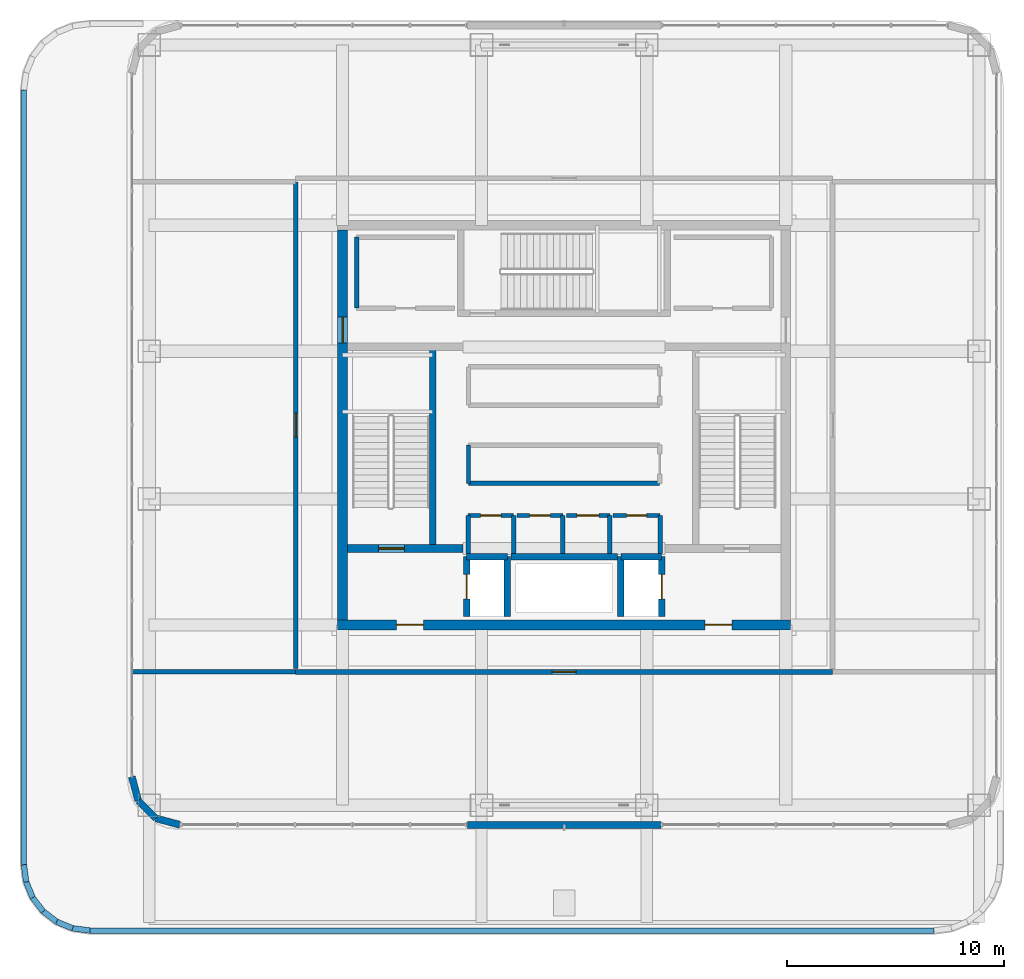
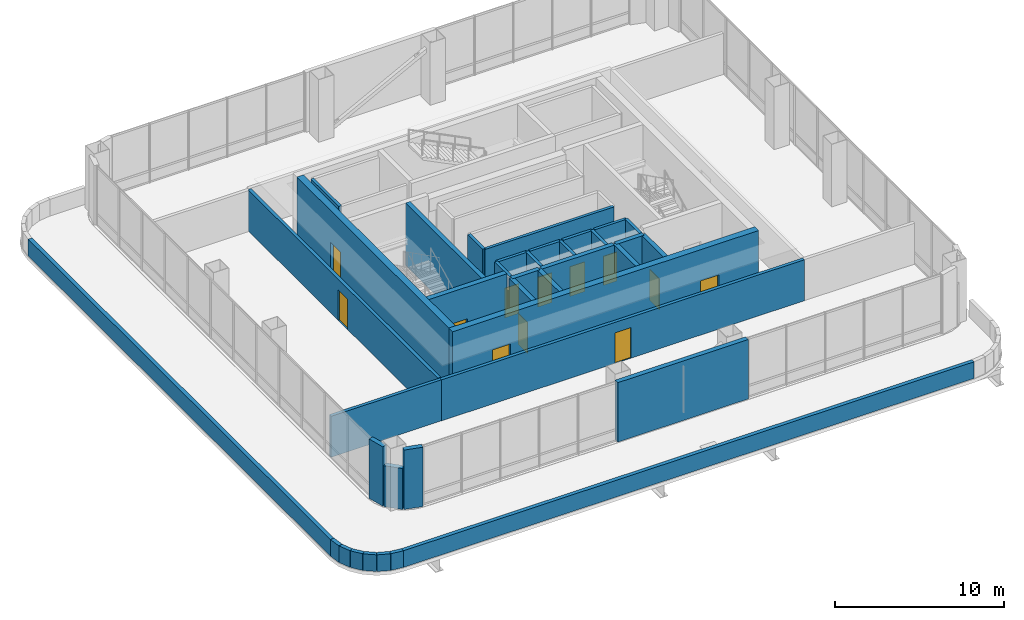
# One storey, part 28 of 33: 38 walls, 12 doors, 12 openings.
"""IFC4 building model written with IfcOpenShell, lengths in metres."""

from ifc_helpers import new_model, si_unit, direction, frame, frame_2d, origin, place, context, subcontext, project, spatial, rectangle, extrude, material, layer, layer_set, type_object, element, fill, save


model = new_model("IFC4")

# Units and contexts
model_context = context("Model", 3, precision=1e-05, world=origin(), true_north=direction((0.0, 1.0)))
body_context = subcontext(model_context, "Body", "Model", "MODEL_VIEW")
ifc_project = project(units=[si_unit("LENGTHUNIT", "METRE"), si_unit("AREAUNIT", "SQUARE_METRE"), si_unit("VOLUMEUNIT", "CUBIC_METRE"), si_unit("PLANEANGLEUNIT", "RADIAN"), si_unit("MASSUNIT", "GRAM", prefix="KILO")], contexts=[model_context])

# Site, building, storey
site_placement = place(None, origin())
site = spatial("IfcSite", under=ifc_project, at=site_placement, CompositionType="ELEMENT")
building_placement = place(site_placement, origin())
building = spatial("IfcBuilding", under=site, at=building_placement, Name="Punatoya Terracotta Tower", CompositionType="ELEMENT")
storey_placement = place(building_placement, frame((0.0, 0.0, 343.800048828125)))
storey = spatial("IfcBuildingStorey", under=building, at=storey_placement, Name="L81", CompositionType="ELEMENT", Elevation=343.800048828125)

# Wall, openings, doors
ifc_material_1 = material(Name="Concrete C50/60", Category="concrete")
ifc_layer_1 = layer(ifc_material_1, 0.449951171875)
ifc_layer_set_1 = layer_set([ifc_layer_1], Name="Concrete C50/60")
wall_type_1 = type_object("IfcWallType", Name="WL-COR-450", PredefinedType="SHEAR", material=ifc_layer_set_1)
wall_1_placement = place(storey_placement, frame((10.425048828125, -9.199951171875, 0.0), z_axis=(0.0, 0.0, 1.0), x_axis=(-1.0, 0.0, 0.0)))
wall_1 = element("IfcWall", 1, at=wall_1_placement, inside=storey, type_object=wall_type_1, Name="L81 Core Shear Wall S", PredefinedType="SHEAR", context=body_context, shape_type="SweptSolid", body=[
    extrude(rectangle(XDim=20.85009765625, YDim=0.449951171875, at=frame_2d((10.425048828125, 0.0))), origin(), (0.0, 0.0, 1.0), 4.5),
])
opening_1_placement = place(wall_1_placement, frame((2.699951171875, 0.0, 0.0)))
opening_1 = element("IfcOpeningElement", 2, at=opening_1_placement, cuts=wall_1, Name="Opening FD-L1", PredefinedType="OPENING", context=body_context, shape_type="SweptSolid", body=[
    extrude(rectangle(XDim=1.25, YDim=2.25, at=frame_2d((0.625, 1.125))), frame((0.0, 0.23486328125, 0.0), z_axis=(0.0, -1.0, 0.0), x_axis=(1.0, 0.0, 0.0)), (0.0, 0.0, 1.0), 0.469970703125),
])
opening_2_placement = place(wall_1_placement, frame((16.89990234375, 0.0, 0.0)))
opening_2 = element("IfcOpeningElement", 3, at=opening_2_placement, cuts=wall_1, Name="Opening FD-L1", PredefinedType="OPENING", context=body_context, shape_type="SweptSolid", body=[
    extrude(rectangle(XDim=1.25, YDim=2.25, at=frame_2d((0.625, 1.125))), frame((0.0, 0.23486328125, 0.0), z_axis=(0.0, -1.0, 0.0), x_axis=(1.0, 0.0, 0.0)), (0.0, 0.0, 1.0), 0.469970703125),
])
ifc_material_2 = material(Name="Galvanised Steel Smokeproof Fire Door", Category="steel")
door_type_1 = type_object("IfcDoorType", Name="DR-FFL-1250", OperationType="NOTDEFINED", PredefinedType="DOOR", material=ifc_material_2)
door_1_placement = place(opening_1_placement, origin())
door_1 = element("IfcDoor", 4, at=door_1_placement, inside=storey, type_object=door_type_1, Name="L81 East Firefighting Lobby Corridor Fire Door", OperationType="SINGLE_SWING_LEFT", OverallHeight=2.25, OverallWidth=1.25, PredefinedType="DOOR", context=body_context, shape_type="SweptSolid", body=[
    extrude(rectangle(XDim=1.25, YDim=2.25, at=frame_2d((0.625, 1.125))), frame((0.0, 0.02490234375, 0.0), z_axis=(0.0, -1.0, 0.0), x_axis=(1.0, 0.0, 0.0)), (0.0, 0.0, 1.0), 0.050048828125),
])
fill(opening_1, door_1)
door_2_placement = place(opening_2_placement, origin())
door_2 = element("IfcDoor", 5, at=door_2_placement, inside=storey, type_object=door_type_1, Name="L81 West Firefighting Lobby Corridor Fire Door", OperationType="SINGLE_SWING_RIGHT", OverallHeight=2.25, OverallWidth=1.25, PredefinedType="DOOR", context=body_context, shape_type="SweptSolid", body=[
    extrude(rectangle(XDim=1.25, YDim=2.25, at=frame_2d((0.625, 1.125))), frame((0.0, 0.02490234375, 0.0), z_axis=(0.0, -1.0, 0.0), x_axis=(1.0, 0.0, 0.0)), (0.0, 0.0, 1.0), 0.050048828125),
])
fill(opening_2, door_2)

# Wall, opening, door
wall_2_placement = place(storey_placement, frame((-10.199951171875, -8.97509765625, 0.0), z_axis=(0.0, 0.0, 1.0), x_axis=(0.0, 1.0, 0.0)))
wall_2 = element("IfcWall", 6, at=wall_2_placement, inside=storey, type_object=wall_type_1, Name="L81 Core Shear Wall W", PredefinedType="SHEAR", context=body_context, shape_type="SweptSolid", body=[
    extrude(rectangle(XDim=17.9501953125, YDim=0.449951171875, at=frame_2d((8.97509765625, 0.0))), origin(), (0.0, 0.0, 1.0), 4.5),
])
opening_3_placement = place(wall_2_placement, frame((12.764892578125, 0.0, 0.0)))
opening_3 = element("IfcOpeningElement", 7, at=opening_3_placement, cuts=wall_2, Name="Opening SD-01", PredefinedType="OPENING", context=body_context, shape_type="SweptSolid", body=[
    extrude(rectangle(XDim=1.179931640625, YDim=2.199951171875, at=frame_2d((0.58984375, 1.10009765625))), frame((0.0, 0.23486328125, 0.0), z_axis=(0.0, -1.0, 0.0), x_axis=(1.0, 0.0, 0.0)), (0.0, 0.0, 1.0), 0.469970703125),
])
ifc_material_3 = material(Name="Galvanised Steel Pressurized Stair Fire Door", Category="steel")
door_type_2 = type_object("IfcDoorType", Name="DR-STR-1180", OperationType="NOTDEFINED", PredefinedType="DOOR", material=ifc_material_3)
door_3_placement = place(opening_3_placement, origin())
door_3 = element("IfcDoor", 8, at=door_3_placement, inside=storey, type_object=door_type_2, Name="L81 Central Lift Lobby West Fire Door", OperationType="SINGLE_SWING_LEFT", OverallHeight=2.199951171875, OverallWidth=1.179931640625, PredefinedType="DOOR", context=body_context, shape_type="SweptSolid", body=[
    extrude(rectangle(XDim=1.179931640625, YDim=2.199951171875, at=frame_2d((0.58984375, 1.10009765625))), frame((0.0, 0.02490234375, 0.0), z_axis=(0.0, -1.0, 0.0), x_axis=(1.0, 0.0, 0.0)), (0.0, 0.0, 1.0), 0.050048828125),
])
fill(opening_3, door_3)

# Walls
ifc_material_4 = material(Name="Precast concrete C40/50", Category="concrete")
ifc_layer_2 = layer(ifc_material_4, 0.320068359375)
ifc_layer_set_2 = layer_set([ifc_layer_2], Name="Precast concrete C40/50")
wall_type_2 = type_object("IfcWallType", Name="WL-EXT-320", PredefinedType="SOLIDWALL", material=ifc_layer_set_2)
wall_3_placement = place(storey_placement, frame((-4.449951171875, -18.39990234375, 0.0), z_axis=(0.0, 0.0, 1.0), x_axis=(1.0, 0.0, 0.0)))
element("IfcWall", 9, at=wall_3_placement, inside=storey, type_object=wall_type_2, Name="L81 Terracotta Braced Facade Wall S1", PredefinedType="SOLIDWALL", context=body_context, shape_type="SweptSolid", body=[
    extrude(rectangle(XDim=8.89990234375, YDim=0.320068359375, at=frame_2d((4.449951171875, 0.0))), origin(), (0.0, 0.0, 1.0), 4.280029296875),
])
wall_4_placement = place(storey_placement, frame((-19.89990234375, -16.18701171875, 0.0), z_axis=(0.0, 0.0, 1.0), x_axis=(0.257332533551, -0.966322910406, 0.0)))
element("IfcWall", 10, at=wall_4_placement, inside=storey, type_object=wall_type_2, Name="L81 Rounded Terracotta Corner Pier 14", PredefinedType="SOLIDWALL", context=body_context, shape_type="SweptSolid", body=[
    extrude(rectangle(XDim=1.15087890625, YDim=0.320068359375, at=frame_2d((0.575439453125, 0.0))), origin(), (0.0, 0.0, 1.0), 4.280029296875),
])
wall_5_placement = place(storey_placement, frame((-19.603759765625, -17.299072265625, 0.0), z_axis=(0.0, 0.0, 1.0), x_axis=(0.707106781187, -0.707106781187, 0.0)))
element("IfcWall", 11, at=wall_5_placement, inside=storey, type_object=wall_type_2, Name="L81 Rounded Terracotta Corner Pier 15", PredefinedType="SOLIDWALL", context=body_context, shape_type="SweptSolid", body=[
    extrude(rectangle(XDim=1.137939453125, YDim=0.320068359375, at=frame_2d((0.56884765625, 0.0))), origin(), (0.0, 0.0, 1.0), 2.953857421875),
])
wall_6_placement = place(storey_placement, frame((-18.799072265625, -18.103759765625, 0.0), z_axis=(0.0, 0.0, 1.0), x_axis=(0.966322910406, -0.257332533551, 0.0)))
element("IfcWall", 12, at=wall_6_placement, inside=storey, type_object=wall_type_2, Name="L81 Rounded Terracotta Corner Pier 16", PredefinedType="SOLIDWALL", context=body_context, shape_type="SweptSolid", body=[
    extrude(rectangle(XDim=1.15087890625, YDim=0.320068359375, at=frame_2d((0.575439453125, 0.0))), origin(), (0.0, 0.0, 1.0), 4.280029296875),
])
ifc_material_5 = material(Name="Concrete C40/50", Category="concrete")
ifc_layer_3 = layer(ifc_material_5, 0.219970703125)
ifc_layer_set_3 = layer_set([ifc_layer_3], Name="Concrete C40/50")
wall_type_3 = type_object("IfcWallType", Name="WL-FIR-220", PredefinedType="SOLIDWALL", material=ifc_layer_set_3)
wall_7_placement = place(storey_placement, frame((-19.8798828125, -11.35009765625, 0.0), z_axis=(0.0, 0.0, 1.0), x_axis=(1.0, 0.0, 0.0)))
element("IfcWall", 13, at=wall_7_placement, inside=storey, type_object=wall_type_3, Name="L81 Crown South Heat-Rejection and Cooling-Tower Plant Partition 24", PredefinedType="SOLIDWALL", context=body_context, shape_type="SweptSolid", body=[
    extrude(rectangle(XDim=7.519775390625, YDim=0.219970703125, at=frame_2d((3.759765625, 0.0))), origin(), (0.0, 0.0, 1.0), 2.953857421875),
])

# Wall, opening, door
wall_8_placement = place(storey_placement, frame((-12.360107421875, -11.360107421875, 0.0), z_axis=(0.0, 0.0, 1.0), x_axis=(1.0, 0.0, 0.0)))
wall_8 = element("IfcWall", 14, at=wall_8_placement, inside=storey, type_object=wall_type_3, Name="L81 Crown South Heat-Rejection and Cooling-Tower Plant Partition 25", PredefinedType="SOLIDWALL", context=body_context, shape_type="SweptSolid", body=[
    extrude(rectangle(XDim=24.72021484375, YDim=0.219970703125, at=frame_2d((12.360107421875, 0.0))), origin(), (0.0, 0.0, 1.0), 2.953857421875),
])
opening_4_placement = place(wall_8_placement, frame((11.81005859375, 0.0, 0.0)))
opening_4 = element("IfcOpeningElement", 15, at=opening_4_placement, cuts=wall_8, Name="Opening FD-P1", PredefinedType="OPENING", context=body_context, shape_type="SweptSolid", body=[
    extrude(rectangle(XDim=1.10009765625, YDim=2.199951171875, at=frame_2d((0.550048828125, 1.10009765625))), frame((0.0, 0.119873046875, 0.0), z_axis=(0.0, -1.0, 0.0), x_axis=(1.0, 0.0, 0.0)), (0.0, 0.0, 1.0), 0.239990234375),
])
ifc_material_6 = material(Name="Galvanised Steel Plant Fire Door", Category="steel")
door_type_3 = type_object("IfcDoorType", Name="DR-PLT-1100", OperationType="NOTDEFINED", PredefinedType="DOOR", material=ifc_material_6)
door_4_placement = place(opening_4_placement, origin())
door_4 = element("IfcDoor", 16, at=door_4_placement, inside=storey, type_object=door_type_3, Name="L81 Crown South Heat-Rejection and Cooling-Tower Plant Fire Door", OperationType="SINGLE_SWING_LEFT", OverallHeight=2.199951171875, OverallWidth=1.10009765625, PredefinedType="DOOR", context=body_context, shape_type="SweptSolid", body=[
    extrude(rectangle(XDim=1.10009765625, YDim=2.199951171875, at=frame_2d((0.550048828125, 1.10009765625))), frame((0.0, 0.02490234375, 0.0), z_axis=(0.0, -1.0, 0.0), x_axis=(1.0, 0.0, 0.0)), (0.0, 0.0, 1.0), 0.050048828125),
])
fill(opening_4, door_4)

wall_9_placement = place(storey_placement, frame((-12.360107421875, 11.199951171875, 0.0), z_axis=(0.0, 0.0, 1.0), x_axis=(0.0, -1.0, 0.0)))
wall_9 = element("IfcWall", 17, at=wall_9_placement, inside=storey, type_object=wall_type_3, Name="L81 Crown West Smoke-Extract and Fan Plant Room Partition 28", PredefinedType="SOLIDWALL", context=body_context, shape_type="SweptSolid", body=[
    extrude(rectangle(XDim=22.39990234375, YDim=0.219970703125, at=frame_2d((11.199951171875, 0.0))), origin(), (0.0, 0.0, 1.0), 2.953857421875),
])
opening_5_placement = place(wall_9_placement, frame((10.64990234375, 0.0, 0.0)))
opening_5 = element("IfcOpeningElement", 18, at=opening_5_placement, cuts=wall_9, Name="Opening FD-P1", PredefinedType="OPENING", context=body_context, shape_type="SweptSolid", body=[
    extrude(rectangle(XDim=1.10009765625, YDim=2.199951171875, at=frame_2d((0.550048828125, 1.10009765625))), frame((0.0, 0.119873046875, 0.0), z_axis=(0.0, -1.0, 0.0), x_axis=(1.0, 0.0, 0.0)), (0.0, 0.0, 1.0), 0.239990234375),
])
door_5_placement = place(opening_5_placement, origin())
door_5 = element("IfcDoor", 19, at=door_5_placement, inside=storey, type_object=door_type_3, Name="L81 Crown West Smoke-Extract and Fan Plant Room Fire Door", OperationType="SINGLE_SWING_RIGHT", OverallHeight=2.199951171875, OverallWidth=1.10009765625, PredefinedType="DOOR", context=body_context, shape_type="SweptSolid", body=[
    extrude(rectangle(XDim=1.10009765625, YDim=2.199951171875, at=frame_2d((0.550048828125, 1.10009765625))), frame((0.0, 0.02490234375, 0.0), z_axis=(0.0, -1.0, 0.0), x_axis=(1.0, 0.0, 0.0)), (0.0, 0.0, 1.0), 0.050048828125),
])
fill(opening_5, door_5)

# Wall
ifc_layer_4 = layer(ifc_material_5, 0.199951171875)
ifc_layer_set_4 = layer_set([ifc_layer_4], Name="Concrete C40/50")
wall_type_4 = type_object("IfcWallType", Name="WL-INT-200", PredefinedType="SOLIDWALL", material=ifc_layer_set_4)
wall_10_placement = place(storey_placement, frame((-2.320068359375, -5.89990234375, 0.0), z_axis=(0.0, 0.0, 1.0), x_axis=(0.0, 1.0, 0.0)))
element("IfcWall", 20, at=wall_10_placement, inside=storey, type_object=wall_type_4, Name="L81 Staff Male Washroom Partition 01", PredefinedType="SOLIDWALL", context=body_context, shape_type="SweptSolid", body=[
    extrude(rectangle(XDim=1.739990234375, YDim=0.199951171875, at=frame_2d((0.8701171875, 0.0))), origin(), (0.0, 0.0, 1.0), 4.280029296875),
])

# Wall, opening, door
wall_11_placement = place(storey_placement, frame((-2.320068359375, -4.159912109375, 0.0), z_axis=(0.0, 0.0, 1.0), x_axis=(-1.0, 0.0, 0.0)))
wall_11 = element("IfcWall", 21, at=wall_11_placement, inside=storey, type_object=wall_type_4, Name="L81 Staff Male Washroom Partition 02", PredefinedType="SOLIDWALL", context=body_context, shape_type="SweptSolid", body=[
    extrude(rectangle(XDim=2.099853515625, YDim=0.199951171875, at=frame_2d((1.0498046875, 0.0))), origin(), (0.0, 0.0, 1.0), 4.280029296875),
])
opening_6_placement = place(wall_11_placement, frame((0.574951171875, 0.0, 0.0)))
opening_6 = element("IfcOpeningElement", 22, at=opening_6_placement, cuts=wall_11, Name="Opening WD-01", PredefinedType="OPENING", context=body_context, shape_type="SweptSolid", body=[
    extrude(rectangle(XDim=0.949951171875, YDim=2.14990234375, at=frame_2d((0.47509765625, 1.074951171875))), frame((0.0, 0.10986328125, 0.0), z_axis=(0.0, -1.0, 0.0), x_axis=(1.0, 0.0, 0.0)), (0.0, 0.0, 1.0), 0.219970703125),
])
ifc_material_7 = material(Name="Moisture-Resistant Laminate Timber Leaf", Category="wood")
door_type_4 = type_object("IfcDoorType", Name="DR-WC-950", OperationType="NOTDEFINED", PredefinedType="DOOR", material=ifc_material_7)
door_6_placement = place(opening_6_placement, origin())
door_6 = element("IfcDoor", 23, at=door_6_placement, inside=storey, type_object=door_type_4, Name="L81 Staff Male Washroom Door", OperationType="SINGLE_SWING_LEFT", OverallHeight=2.14990234375, OverallWidth=0.949951171875, PredefinedType="DOOR", context=body_context, shape_type="SweptSolid", body=[
    extrude(rectangle(XDim=0.949951171875, YDim=2.14990234375, at=frame_2d((0.47509765625, 1.074951171875))), frame((0.0, 0.02490234375, 0.0), z_axis=(0.0, -1.0, 0.0), x_axis=(1.0, 0.0, 0.0)), (0.0, 0.0, 1.0), 0.050048828125),
])
fill(opening_6, door_6)

# Walls
for number, where, z_axis, x_axis, name in (
    (24, (-4.419921875, -4.159912109375, 0.0), (0.0, 0.0, 1.0), (0.0, -1.0, 0.0), "L81 Staff Male Washroom Partition 03"),
    (25, (-0.06005859375, -5.89990234375, 0.0), (0.0, 0.0, 1.0), (0.0, 1.0, 0.0), "L81 Staff Female Washroom Partition 04"),
):
    element("IfcWall", number, at=place(storey_placement, frame(where, z_axis=z_axis, x_axis=x_axis)), inside=storey, type_object=wall_type_4, Name=name, PredefinedType="SOLIDWALL", context=body_context, shape_type="SweptSolid", body=[
        extrude(rectangle(XDim=1.739990234375, YDim=0.199951171875, at=frame_2d((0.8701171875, 0.0))), origin(), (0.0, 0.0, 1.0), 4.280029296875),
    ])

# Wall, opening, door
wall_12_placement = place(storey_placement, frame((-0.06005859375, -4.159912109375, 0.0), z_axis=(0.0, 0.0, 1.0), x_axis=(-1.0, 0.0, 0.0)))
wall_12 = element("IfcWall", 26, at=wall_12_placement, inside=storey, type_object=wall_type_4, Name="L81 Staff Female Washroom Partition 05", PredefinedType="SOLIDWALL", context=body_context, shape_type="SweptSolid", body=[
    extrude(rectangle(XDim=2.099853515625, YDim=0.199951171875, at=frame_2d((1.0498046875, 0.0))), origin(), (0.0, 0.0, 1.0), 4.280029296875),
])
opening_7_placement = place(wall_12_placement, frame((0.574951171875, 0.0, 0.0)))
opening_7 = element("IfcOpeningElement", 27, at=opening_7_placement, cuts=wall_12, Name="Opening WD-01", PredefinedType="OPENING", context=body_context, shape_type="SweptSolid", body=[
    extrude(rectangle(XDim=0.949951171875, YDim=2.14990234375, at=frame_2d((0.47509765625, 1.074951171875))), frame((0.0, 0.10986328125, 0.0), z_axis=(0.0, -1.0, 0.0), x_axis=(1.0, 0.0, 0.0)), (0.0, 0.0, 1.0), 0.219970703125),
])
door_7_placement = place(opening_7_placement, origin())
door_7 = element("IfcDoor", 28, at=door_7_placement, inside=storey, type_object=door_type_4, Name="L81 Staff Female Washroom Door", OperationType="SINGLE_SWING_RIGHT", OverallHeight=2.14990234375, OverallWidth=0.949951171875, PredefinedType="DOOR", context=body_context, shape_type="SweptSolid", body=[
    extrude(rectangle(XDim=0.949951171875, YDim=2.14990234375, at=frame_2d((0.47509765625, 1.074951171875))), frame((0.0, 0.02490234375, 0.0), z_axis=(0.0, -1.0, 0.0), x_axis=(1.0, 0.0, 0.0)), (0.0, 0.0, 1.0), 0.050048828125),
])
fill(opening_7, door_7)

# Wall
wall_13_placement = place(storey_placement, frame((2.10009765625, -5.89990234375, 0.0), z_axis=(0.0, 0.0, 1.0), x_axis=(0.0, 1.0, 0.0)))
element("IfcWall", 29, at=wall_13_placement, inside=storey, type_object=wall_type_4, Name="L81 Accessible Universal Washroom Partition 06", PredefinedType="SOLIDWALL", context=body_context, shape_type="SweptSolid", body=[
    extrude(rectangle(XDim=1.739990234375, YDim=0.199951171875, at=frame_2d((0.8701171875, 0.0))), origin(), (0.0, 0.0, 1.0), 4.280029296875),
])

# Wall, opening, door
wall_14_placement = place(storey_placement, frame((2.10009765625, -4.159912109375, 0.0), z_axis=(0.0, 0.0, 1.0), x_axis=(-1.0, 0.0, 0.0)))
wall_14 = element("IfcWall", 30, at=wall_14_placement, inside=storey, type_object=wall_type_4, Name="L81 Accessible Universal Washroom Partition 07", PredefinedType="SOLIDWALL", context=body_context, shape_type="SweptSolid", body=[
    extrude(rectangle(XDim=2.0, YDim=0.199951171875, at=frame_2d((1.0, 0.0))), origin(), (0.0, 0.0, 1.0), 4.280029296875),
])
opening_8_placement = place(wall_14_placement, frame((0.5, 0.0, 0.0)))
opening_8 = element("IfcOpeningElement", 31, at=opening_8_placement, cuts=wall_14, Name="Opening AWD-1", PredefinedType="OPENING", context=body_context, shape_type="SweptSolid", body=[
    extrude(rectangle(XDim=1.0, YDim=2.14990234375, at=frame_2d((0.5, 1.074951171875))), frame((0.0, 0.10986328125, 0.0), z_axis=(0.0, -1.0, 0.0), x_axis=(1.0, 0.0, 0.0)), (0.0, 0.0, 1.0), 0.219970703125),
])
ifc_material_8 = material(Name="Bengal Teak Accessible WC Leaf")
door_type_5 = type_object("IfcDoorType", Name="DR-ACC-1000", OperationType="NOTDEFINED", PredefinedType="DOOR", material=ifc_material_8)
door_8_placement = place(opening_8_placement, origin())
door_8 = element("IfcDoor", 32, at=door_8_placement, inside=storey, type_object=door_type_5, Name="L81 Accessible Universal Washroom Door", OperationType="SINGLE_SWING_LEFT", OverallHeight=2.14990234375, OverallWidth=1.0, PredefinedType="DOOR", context=body_context, shape_type="SweptSolid", body=[
    extrude(rectangle(XDim=1.0, YDim=2.14990234375, at=frame_2d((0.5, 1.074951171875))), frame((0.0, 0.02490234375, 0.0), z_axis=(0.0, -1.0, 0.0), x_axis=(1.0, 0.0, 0.0)), (0.0, 0.0, 1.0), 0.050048828125),
])
fill(opening_8, door_8)

# Wall
wall_15_placement = place(storey_placement, frame((4.419921875, -5.89990234375, 0.0), z_axis=(0.0, 0.0, 1.0), x_axis=(0.0, 1.0, 0.0)))
element("IfcWall", 33, at=wall_15_placement, inside=storey, type_object=wall_type_4, Name="L81 Core Electrical Switchgear Room Partition 08", PredefinedType="SOLIDWALL", context=body_context, shape_type="SweptSolid", body=[
    extrude(rectangle(XDim=1.739990234375, YDim=0.199951171875, at=frame_2d((0.8701171875, 0.0))), origin(), (0.0, 0.0, 1.0), 4.280029296875),
])

# Wall, opening, door
wall_16_placement = place(storey_placement, frame((4.419921875, -4.159912109375, 0.0), z_axis=(0.0, 0.0, 1.0), x_axis=(-1.0, 0.0, 0.0)))
wall_16 = element("IfcWall", 34, at=wall_16_placement, inside=storey, type_object=wall_type_4, Name="L81 Core Electrical Switchgear Room Partition 09", PredefinedType="SOLIDWALL", context=body_context, shape_type="SweptSolid", body=[
    extrude(rectangle(XDim=2.159912109375, YDim=0.199951171875, at=frame_2d((1.080078125, 0.0))), origin(), (0.0, 0.0, 1.0), 4.280029296875),
])
opening_9_placement = place(wall_16_placement, frame((0.6201171875, 0.0, 0.0)))
opening_9 = element("IfcOpeningElement", 35, at=opening_9_placement, cuts=wall_16, Name="Opening FD-R1", PredefinedType="OPENING", context=body_context, shape_type="SweptSolid", body=[
    extrude(rectangle(XDim=0.919921875, YDim=2.10009765625, at=frame_2d((0.4599609375, 1.050048828125))), frame((0.0, 0.10986328125, 0.0), z_axis=(0.0, -1.0, 0.0), x_axis=(1.0, 0.0, 0.0)), (0.0, 0.0, 1.0), 0.219970703125),
])
ifc_material_9 = material(Name="Galvanised Steel Riser Fire Access Door", Category="steel")
door_type_6 = type_object("IfcDoorType", Name="DR-RSR-920", OperationType="NOTDEFINED", PredefinedType="DOOR", material=ifc_material_9)
door_9_placement = place(opening_9_placement, origin())
door_9 = element("IfcDoor", 36, at=door_9_placement, inside=storey, type_object=door_type_6, Name="L81 Core Electrical Switchgear Room Fire Door", OperationType="SINGLE_SWING_RIGHT", OverallHeight=2.10009765625, OverallWidth=0.919921875, PredefinedType="DOOR", context=body_context, shape_type="SweptSolid", body=[
    extrude(rectangle(XDim=0.919921875, YDim=2.10009765625, at=frame_2d((0.4599609375, 1.050048828125))), frame((0.0, 0.02490234375, 0.0), z_axis=(0.0, -1.0, 0.0), x_axis=(1.0, 0.0, 0.0)), (0.0, 0.0, 1.0), 0.050048828125),
])
fill(opening_9, door_9)

# Walls
wall_17_placement = place(storey_placement, frame((-4.39990234375, -0.919921875, 0.0), z_axis=(0.0, 0.0, 1.0), x_axis=(0.0, -1.0, 0.0)))
element("IfcWall", 37, at=wall_17_placement, inside=storey, type_object=wall_type_4, Name="L81 Crown Emergency Power Switchroom Partition 12", PredefinedType="SOLIDWALL", context=body_context, shape_type="SweptSolid", body=[
    extrude(rectangle(XDim=1.760009765625, YDim=0.199951171875, at=frame_2d((0.8798828125, 0.0))), origin(), (0.0, 0.0, 1.0), 4.280029296875),
])
wall_18_placement = place(storey_placement, frame((-4.39990234375, -2.679931640625, 0.0), z_axis=(0.0, 0.0, 1.0), x_axis=(1.0, 0.0, 0.0)))
element("IfcWall", 38, at=wall_18_placement, inside=storey, type_object=wall_type_4, Name="L81 Crown Emergency Power Switchroom Partition 13", PredefinedType="SOLIDWALL", context=body_context, shape_type="SweptSolid", body=[
    extrude(rectangle(XDim=8.7998046875, YDim=0.199951171875, at=frame_2d((4.39990234375, 0.0))), origin(), (0.0, 0.0, 1.0), 4.280029296875),
])
wall_19_placement = place(storey_placement, frame((-9.550048828125, 8.64990234375, 0.0), z_axis=(0.0, 0.0, 1.0), x_axis=(0.0, -1.0, 0.0)))
element("IfcWall", 39, at=wall_19_placement, inside=storey, type_object=wall_type_4, Name="L81 West Duct Riser Partition 19", PredefinedType="SOLIDWALL", context=body_context, shape_type="SweptSolid", body=[
    extrude(rectangle(XDim=3.27001953125, YDim=0.199951171875, at=frame_2d((1.635009765625, 0.0))), origin(), (0.0, 0.0, 1.0), 4.280029296875),
])
ifc_layer_5 = layer(ifc_material_4, 0.260009765625)
ifc_layer_set_5 = layer_set([ifc_layer_5], Name="Precast concrete C40/50")
wall_type_5 = type_object("IfcWallType", Name="WL-PAR-260", PredefinedType="PARAPET", material=ifc_layer_set_5)
wall_20_placement = place(storey_placement, frame((-24.8701171875, 15.438232421875, 0.0), z_axis=(0.0, 0.0, 1.0), x_axis=(0.0, -1.0, 0.0)))
element("IfcWall", 40, at=wall_20_placement, inside=storey, type_object=wall_type_5, Name="L81 Roof Parapet Wall PAR-L81-STEP-15", PredefinedType="PARAPET", context=body_context, shape_type="SweptSolid", body=[
    extrude(rectangle(XDim=35.676513671875, YDim=0.260009765625, at=frame_2d((17.83837890625, 0.0))), origin(), (0.0, 0.0, 1.0), 1.199951171875),
])
wall_21_placement = place(storey_placement, frame((-24.8701171875, -20.23828125, 0.0), z_axis=(0.0, 0.0, 1.0), x_axis=(0.130644014367, -0.991429342672, 0.0)))
element("IfcWall", 41, at=wall_21_placement, inside=storey, type_object=wall_type_5, Name="L81 Roof Parapet Wall PAR-L81-STEP-16", PredefinedType="PARAPET", context=body_context, shape_type="SweptSolid", body=[
    extrude(rectangle(XDim=0.7998046875, YDim=0.260009765625, at=frame_2d((0.39990234375, 0.0))), origin(), (0.0, 0.0, 1.0), 1.199951171875),
])
wall_22_placement = place(storey_placement, frame((-24.765625, -21.03125, 0.0), z_axis=(0.0, 0.0, 1.0), x_axis=(0.38263454961, -0.923899778896, 0.0)))
element("IfcWall", 42, at=wall_22_placement, inside=storey, type_object=wall_type_5, Name="L81 Roof Parapet Wall PAR-L81-STEP-17", PredefinedType="PARAPET", context=body_context, shape_type="SweptSolid", body=[
    extrude(rectangle(XDim=0.7880859375, YDim=0.260009765625, at=frame_2d((0.39404296875, 0.0))), origin(), (0.0, 0.0, 1.0), 1.199951171875),
])
wall_23_placement = place(storey_placement, frame((-24.464111328125, -21.75927734375, 0.0), z_axis=(0.0, 0.0, 1.0), x_axis=(0.608886809997, -0.793257116332, 0.0)))
element("IfcWall", 43, at=wall_23_placement, inside=storey, type_object=wall_type_5, Name="L81 Roof Parapet Wall PAR-L81-STEP-18", PredefinedType="PARAPET", context=body_context, shape_type="SweptSolid", body=[
    extrude(rectangle(XDim=0.787841796875, YDim=0.260009765625, at=frame_2d((0.39404296875, 0.0))), origin(), (0.0, 0.0, 1.0), 1.199951171875),
])
for number, where, z_axis, x_axis, name in (
    (44, (-23.984375, -22.38427734375, 0.0), (0.0, 0.0, 1.0), (0.793371954706, -0.608737169464, 0.0), "L81 Roof Parapet Wall PAR-L81-STEP-19"),
    (45, (-23.359130859375, -22.864013671875, 0.0), (0.0, 0.0, 1.0), (0.923899778896, -0.38263454961, 0.0), "L81 Roof Parapet Wall PAR-L81-STEP-20"),
):
    element("IfcWall", number, at=place(storey_placement, frame(where, z_axis=z_axis, x_axis=x_axis)), inside=storey, type_object=wall_type_5, Name=name, PredefinedType="PARAPET", context=body_context, shape_type="SweptSolid", body=[
        extrude(rectangle(XDim=0.7880859375, YDim=0.260009765625, at=frame_2d((0.39404296875, 0.0))), origin(), (0.0, 0.0, 1.0), 1.199951171875),
    ])
wall_24_placement = place(storey_placement, frame((-22.631103515625, -23.16552734375, 0.0), z_axis=(0.0, 0.0, 1.0), x_axis=(0.991429342672, -0.130644014367, 0.0)))
element("IfcWall", 46, at=wall_24_placement, inside=storey, type_object=wall_type_5, Name="L81 Roof Parapet Wall PAR-L81-STEP-21", PredefinedType="PARAPET", context=body_context, shape_type="SweptSolid", body=[
    extrude(rectangle(XDim=0.7998046875, YDim=0.260009765625, at=frame_2d((0.39990234375, 0.0))), origin(), (0.0, 0.0, 1.0), 1.199951171875),
])
wall_25_placement = place(storey_placement, frame((-21.838134765625, -23.27001953125, 0.0), z_axis=(0.0, 0.0, 1.0), x_axis=(1.0, 0.0, 0.0)))
element("IfcWall", 47, at=wall_25_placement, inside=storey, type_object=wall_type_5, Name="L81 Roof Parapet Wall PAR-L81-STEP-22", PredefinedType="PARAPET", context=body_context, shape_type="SweptSolid", body=[
    extrude(rectangle(XDim=38.876220703125, YDim=0.260009765625, at=frame_2d((19.43798828125, 0.0))), origin(), (0.0, 0.0, 1.0), 1.199951171875),
])
ifc_layer_6 = layer(ifc_material_5, 0.300048828125)
ifc_layer_set_6 = layer_set([ifc_layer_6], Name="Concrete C40/50")
wall_type_6 = type_object("IfcWallType", Name="WL-SHF-300", PredefinedType="SOLIDWALL", material=ifc_layer_set_6)
wall_26_placement = place(storey_placement, frame((-6.050048828125, -5.5, 0.0), z_axis=(0.0, 0.0, 1.0), x_axis=(0.0, 1.0, 0.0)))
element("IfcWall", 48, at=wall_26_placement, inside=storey, type_object=wall_type_6, Name="L81 Structural Stair Shaft Wall SW-ST1-E", PredefinedType="SOLIDWALL", context=body_context, shape_type="SweptSolid", body=[
    extrude(rectangle(XDim=8.949951171875, YDim=0.300048828125, at=frame_2d((4.47509765625, 0.0))), origin(), (0.0, 0.0, 1.0), 4.5),
])

# Wall, opening, door
wall_27_placement = place(storey_placement, frame((-4.489990234375, -8.820068359375, 0.0), z_axis=(0.0, 0.0, 1.0), x_axis=(0.0, 1.0, 0.0)))
wall_27 = element("IfcWall", 49, at=wall_27_placement, inside=storey, type_object=wall_type_6, Name="L81 FFL-1 Front Hoistway Wall", PredefinedType="SOLIDWALL", context=body_context, shape_type="SweptSolid", body=[
    extrude(rectangle(XDim=2.77001953125, YDim=0.300048828125, at=frame_2d((1.385009765625, 0.0))), origin(), (0.0, 0.0, 1.0), 4.280029296875),
])
opening_10_placement = place(wall_27_placement, frame((0.824951171875, 0.0, 0.0)))
opening_10 = element("IfcOpeningElement", 50, at=opening_10_placement, cuts=wall_27, Name="Opening LD-02", PredefinedType="OPENING", context=body_context, shape_type="SweptSolid", body=[
    extrude(rectangle(XDim=1.1201171875, YDim=2.25, at=frame_2d((0.56005859375, 1.125))), frame((0.0, 0.159912109375, 0.0), z_axis=(0.0, -1.0, 0.0), x_axis=(1.0, 0.0, 0.0)), (0.0, 0.0, 1.0), 0.320068359375),
])
ifc_material_10 = material(Name="Stainless Steel Lift Landing Door", Category="steel")
door_type_7 = type_object("IfcDoorType", Name="DR-LND-1120", OperationType="NOTDEFINED", PredefinedType="DOOR", material=ifc_material_10)
door_10_placement = place(opening_10_placement, origin())
door_10 = element("IfcDoor", 51, at=door_10_placement, inside=storey, type_object=door_type_7, Name="L81 Firefighting Lift FFL-1 Sliding Landing Door", OperationType="SLIDING_TO_LEFT", OverallHeight=2.25, OverallWidth=1.1201171875, PredefinedType="DOOR", context=body_context, shape_type="SweptSolid", body=[
    extrude(rectangle(XDim=1.1201171875, YDim=2.25, at=frame_2d((0.56005859375, 1.125))), frame((0.0, 0.02490234375, 0.0), z_axis=(0.0, -1.0, 0.0), x_axis=(1.0, 0.0, 0.0)), (0.0, 0.0, 1.0), 0.050048828125),
])
fill(opening_10, door_10)

# Walls
wall_28_placement = place(storey_placement, frame((-2.610107421875, -8.820068359375, 0.0), z_axis=(0.0, 0.0, 1.0), x_axis=(0.0, 1.0, 0.0)))
element("IfcWall", 52, at=wall_28_placement, inside=storey, type_object=wall_type_6, Name="L81 FFL-1 Rear Hoistway Wall", PredefinedType="SOLIDWALL", context=body_context, shape_type="SweptSolid", body=[
    extrude(rectangle(XDim=2.77001953125, YDim=0.300048828125, at=frame_2d((1.385009765625, 0.0))), origin(), (0.0, 0.0, 1.0), 4.280029296875),
])
wall_29_placement = place(storey_placement, frame((-4.489990234375, -6.050048828125, 0.0), z_axis=(0.0, 0.0, 1.0), x_axis=(1.0, 0.0, 0.0)))
element("IfcWall", 53, at=wall_29_placement, inside=storey, type_object=wall_type_6, Name="L81 FFL-1 North Hoistway Wall", PredefinedType="SOLIDWALL", context=body_context, shape_type="SweptSolid", body=[
    extrude(rectangle(XDim=1.8798828125, YDim=0.300048828125, at=frame_2d((0.93994140625, 0.0))), origin(), (0.0, 0.0, 1.0), 4.280029296875),
])

# Wall, opening, door
wall_30_placement = place(storey_placement, frame((4.489990234375, -8.820068359375, 0.0), z_axis=(0.0, 0.0, 1.0), x_axis=(0.0, 1.0, 0.0)))
wall_30 = element("IfcWall", 54, at=wall_30_placement, inside=storey, type_object=wall_type_6, Name="L81 FFL-2 Front Hoistway Wall", PredefinedType="SOLIDWALL", context=body_context, shape_type="SweptSolid", body=[
    extrude(rectangle(XDim=2.77001953125, YDim=0.300048828125, at=frame_2d((1.385009765625, 0.0))), origin(), (0.0, 0.0, 1.0), 4.280029296875),
])
opening_11_placement = place(wall_30_placement, frame((0.824951171875, 0.0, 0.0)))
opening_11 = element("IfcOpeningElement", 55, at=opening_11_placement, cuts=wall_30, Name="Opening LD-02", PredefinedType="OPENING", context=body_context, shape_type="SweptSolid", body=[
    extrude(rectangle(XDim=1.1201171875, YDim=2.25, at=frame_2d((0.56005859375, 1.125))), frame((0.0, 0.159912109375, 0.0), z_axis=(0.0, -1.0, 0.0), x_axis=(1.0, 0.0, 0.0)), (0.0, 0.0, 1.0), 0.320068359375),
])
door_11_placement = place(opening_11_placement, origin())
door_11 = element("IfcDoor", 56, at=door_11_placement, inside=storey, type_object=door_type_7, Name="L81 Firefighting Lift FFL-2 Sliding Landing Door", OperationType="SLIDING_TO_RIGHT", OverallHeight=2.25, OverallWidth=1.1201171875, PredefinedType="DOOR", context=body_context, shape_type="SweptSolid", body=[
    extrude(rectangle(XDim=1.1201171875, YDim=2.25, at=frame_2d((0.56005859375, 1.125))), frame((0.0, 0.02490234375, 0.0), z_axis=(0.0, -1.0, 0.0), x_axis=(1.0, 0.0, 0.0)), (0.0, 0.0, 1.0), 0.050048828125),
])
fill(opening_11, door_11)

# Walls
wall_31_placement = place(storey_placement, frame((2.610107421875, -8.820068359375, 0.0), z_axis=(0.0, 0.0, 1.0), x_axis=(0.0, 1.0, 0.0)))
element("IfcWall", 57, at=wall_31_placement, inside=storey, type_object=wall_type_6, Name="L81 FFL-2 Rear Hoistway Wall", PredefinedType="SOLIDWALL", context=body_context, shape_type="SweptSolid", body=[
    extrude(rectangle(XDim=2.77001953125, YDim=0.300048828125, at=frame_2d((1.385009765625, 0.0))), origin(), (0.0, 0.0, 1.0), 4.280029296875),
])
wall_32_placement = place(storey_placement, frame((2.610107421875, -6.050048828125, 0.0), z_axis=(0.0, 0.0, 1.0), x_axis=(1.0, 0.0, 0.0)))
element("IfcWall", 58, at=wall_32_placement, inside=storey, type_object=wall_type_6, Name="L81 FFL-2 North Hoistway Wall", PredefinedType="SOLIDWALL", context=body_context, shape_type="SweptSolid", body=[
    extrude(rectangle(XDim=1.8798828125, YDim=0.300048828125, at=frame_2d((0.93994140625, 0.0))), origin(), (0.0, 0.0, 1.0), 4.280029296875),
])
wall_33_placement = place(storey_placement, frame((-2.449951171875, -6.050048828125, 0.0), z_axis=(0.0, 0.0, 1.0), x_axis=(1.0, 0.0, 0.0)))
element("IfcWall", 59, at=wall_33_placement, inside=storey, type_object=wall_type_6, Name="L81 Observation Shuttle Rear Hoistway Wall", PredefinedType="SOLIDWALL", context=body_context, shape_type="SweptSolid", body=[
    extrude(rectangle(XDim=4.89990234375, YDim=0.300048828125, at=frame_2d((2.449951171875, 0.0))), origin(), (0.0, 0.0, 1.0), 4.280029296875),
])

# Wall, opening, door
ifc_layer_7 = layer(ifc_material_1, 0.35009765625)
ifc_layer_set_7 = layer_set([ifc_layer_7], Name="Concrete C50/60")
wall_type_7 = type_object("IfcWallType", Name="WL-SHF-350", PredefinedType="SOLIDWALL", material=ifc_layer_set_7)
wall_34_placement = place(storey_placement, frame((-9.97509765625, -5.679931640625, 0.0), z_axis=(0.0, 0.0, 1.0), x_axis=(1.0, 0.0, 0.0)))
wall_34 = element("IfcWall", 60, at=wall_34_placement, inside=storey, type_object=wall_type_7, Name="L81 Core Web Wall CSW-L", PredefinedType="SOLIDWALL", context=body_context, shape_type="SweptSolid", body=[
    extrude(rectangle(XDim=5.3251953125, YDim=0.35009765625, at=frame_2d((2.66259765625, 0.0))), origin(), (0.0, 0.0, 1.0), 4.5),
])
opening_12_placement = place(wall_34_placement, frame((1.43505859375, 0.0, 0.0)))
opening_12 = element("IfcOpeningElement", 61, at=opening_12_placement, cuts=wall_34, Name="Opening SD-01", PredefinedType="OPENING", context=body_context, shape_type="SweptSolid", body=[
    extrude(rectangle(XDim=1.179931640625, YDim=2.199951171875, at=frame_2d((0.58984375, 1.10009765625))), frame((0.0, 0.18505859375, 0.0), z_axis=(0.0, -1.0, 0.0), x_axis=(1.0, 0.0, 0.0)), (0.0, 0.0, 1.0), 0.3701171875),
])
door_12_placement = place(opening_12_placement, origin())
door_12 = element("IfcDoor", 62, at=door_12_placement, inside=storey, type_object=door_type_2, Name="L81 Stair ST-1 Smokeproof Lobby Fire Door", OperationType="SINGLE_SWING_LEFT", OverallHeight=2.199951171875, OverallWidth=1.179931640625, PredefinedType="DOOR", context=body_context, shape_type="SweptSolid", body=[
    extrude(rectangle(XDim=1.179931640625, YDim=2.199951171875, at=frame_2d((0.58984375, 1.10009765625))), frame((0.0, 0.02490234375, 0.0), z_axis=(0.0, -1.0, 0.0), x_axis=(1.0, 0.0, 0.0)), (0.0, 0.0, 1.0), 0.050048828125),
])
fill(opening_12, door_12)

save(model, "model.ifc")
